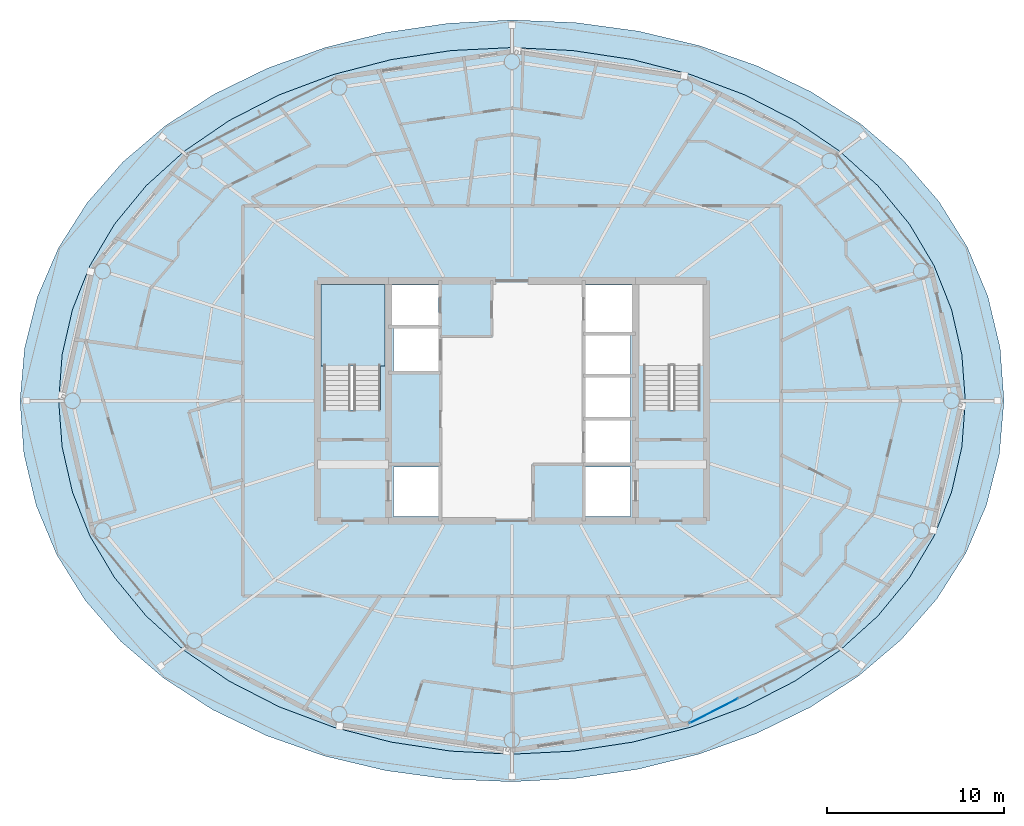
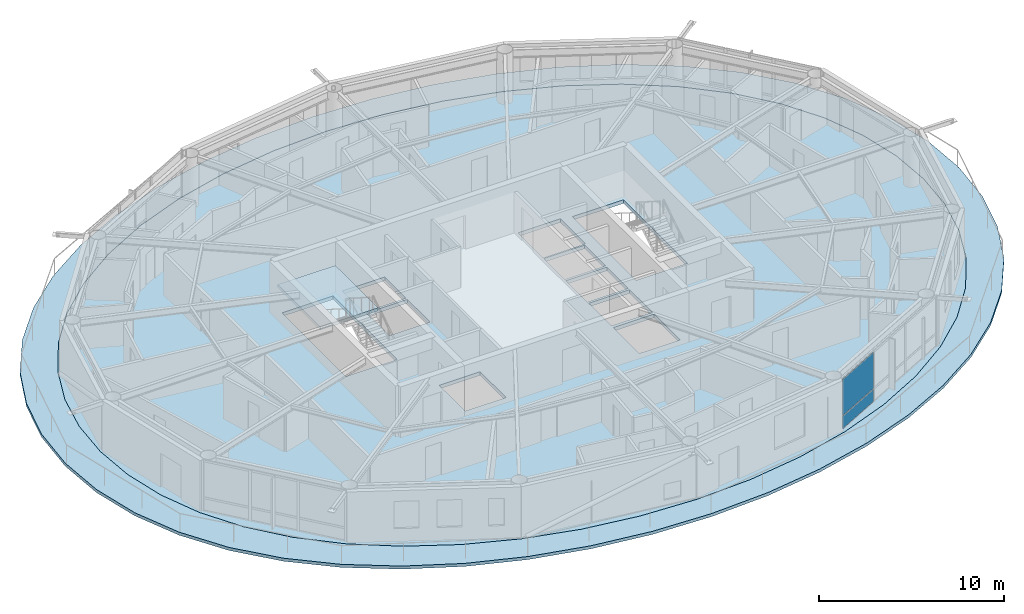
# One storey, part 13 of 23: 3 slabs, 2 plates, 2 elements without a shape of their own.
"""IFC4 building model written with IfcOpenShell, lengths in metres."""

from ifc_helpers import new_model, si_unit, direction, frame, origin, origin_2d, place, context, subcontext, project, spatial, polyline, rectangle, outline, extrude, material, layer, layer_set, type_object, element, aggregate, save


model = new_model("IFC4")

# Units and contexts
model_context = context("Model", 3, precision=1e-05, world=origin(), true_north=direction((0.0, 1.0)))
body_context = subcontext(model_context, "Body", "Model", "MODEL_VIEW")
ifc_project = project(units=[si_unit("LENGTHUNIT", "METRE"), si_unit("AREAUNIT", "SQUARE_METRE"), si_unit("VOLUMEUNIT", "CUBIC_METRE"), si_unit("PLANEANGLEUNIT", "RADIAN"), si_unit("MASSUNIT", "GRAM", prefix="KILO")], contexts=[model_context])

# Site, building, storey
site_placement = place(None, origin())
site = spatial("IfcSite", under=ifc_project, at=site_placement, CompositionType="ELEMENT")
building_placement = place(site_placement, origin())
building = spatial("IfcBuilding", under=site, at=building_placement, Name="Sarneth Arch Tower", CompositionType="ELEMENT")
storey_placement = place(building_placement, frame((0.0, 0.0, 228.0)))
storey = spatial("IfcBuildingStorey", under=building, at=storey_placement, Name="L58", CompositionType="ELEMENT", Elevation=228.0)

# Curtain wall, plates
ifc_material_1 = material(Name="Anodised aluminium Type AA25 and solar-control low-e laminated IGU", Category="aluminium")
ifc_layer_1 = layer(ifc_material_1, 0.179931640625)
ifc_layer_set_1 = layer_set([ifc_layer_1], Name="Anodised aluminium Type AA25 and solar-control low-e laminated IGU")
curtain_wall_type = type_object("IfcCurtainWallType", Name="CW-RES-HIGH", PredefinedType="NOTDEFINED", material=ifc_layer_set_1)
curtain_wall_placement = place(storey_placement, origin())
curtain_wall = element("IfcCurtainWall", 1, at=curtain_wall_placement, inside=storey, type_object=curtain_wall_type, Name="L58 Unitised curtain wall facet 14", PredefinedType="NOTDEFINED")
ifc_material_2 = material(Name="Solar-control low-e laminated IGU", Category="glass")
ifc_layer_2 = layer(ifc_material_2, 0.028076171875)
ifc_layer_set_2 = layer_set([ifc_layer_2], Name="Solar-control low-e laminated IGU")
plate_type = type_object("IfcPlateType", Name="CW-PANEL", PredefinedType="CURTAIN_PANEL", material=ifc_layer_set_2)
plate_1_placement = place(storey_placement, frame((59.4208984375, 24.447021484375, 0.06005859375), z_axis=(0.0, 0.0, 1.0), x_axis=(0.890009540525, 0.455941901753, 0.0)))
plate_1 = element("IfcPlate", 2, at=plate_1_placement, type_object=plate_type, Name="Curtain wall glazed vision pane CW-L58-F14/P00-00", PredefinedType="CURTAIN_PANEL", context=body_context, shape_type="SweptSolid", body=[
    extrude(rectangle(XDim=3.044677734375, YDim=0.028076171875, at=origin_2d()), origin(), (0.0, 0.0, 1.0), 0.81005859375),
])
plate_2_placement = place(storey_placement, frame((59.4208984375, 24.447021484375, 0.929931640625), z_axis=(0.0, 0.0, 1.0), x_axis=(0.890009540525, 0.455941901753, 0.0)))
plate_2 = element("IfcPlate", 3, at=plate_2_placement, type_object=plate_type, Name="Curtain wall glazed vision pane CW-L58-F14/P00-01", PredefinedType="CURTAIN_PANEL", context=body_context, shape_type="SweptSolid", body=[
    extrude(rectangle(XDim=3.044677734375, YDim=0.028076171875, at=origin_2d()), origin(), (0.0, 0.0, 1.0), 2.3701171875),
])
aggregate(curtain_wall, [plate_1, plate_2])

# Slab
ifc_material_3 = material(Name="Concrete C50/60", Category="concrete")
ifc_layer_3 = layer(ifc_material_3, 0.199951171875)
ifc_layer_set_3 = layer_set([ifc_layer_3], Name="Concrete C50/60")
slab_type_1 = type_object("IfcSlabType", Name="SLAB-BALC-200", PredefinedType="FLOOR", material=ifc_layer_set_3)
slab_1_placement = place(storey_placement, frame((0.0, 0.0, -0.199951171875)))
element("IfcSlab", 4, at=slab_1_placement, inside=storey, type_object=slab_type_1, Name="L58 Helical balcony band slab", PredefinedType="FLOOR", context=body_context, shape_type="SweptSolid", body=[
    extrude(outline(polyline([(75.85107421875, 42.0), (75.631591796875, 44.997314453125), (74.935302734375, 47.921875), (73.7734375, 50.703369140625), (72.1640625, 53.2861328125), (70.132080078125, 55.629638671875), (67.71142578125, 57.703369140625), (64.9462890625, 59.48486328125), (61.891357421875, 60.956787109375), (58.607666015625, 62.10693359375), (55.158447265625, 62.927001953125), (51.603759765625, 63.411865234375), (48.0, 63.5595703125), (44.400390625, 63.371337890625), (40.857177734375, 62.849853515625), (37.425537109375, 62.0009765625), (34.1630859375, 60.83203125), (31.1298828125, 59.353271484375), (28.383056640625, 57.57763671875), (25.973876953125, 55.52099609375), (23.943603515625, 53.202880859375), (22.32373046875, 50.649169921875), (21.138671875, 47.89501953125), (20.408447265625, 44.990234375), (20.14892578125, 42.0), (20.368408203125, 39.002685546875), (21.064697265625, 36.078125), (22.2265625, 33.296630859375), (23.8359375, 30.7138671875), (25.867919921875, 28.370361328125), (28.28857421875, 26.296630859375), (31.0537109375, 24.51513671875), (34.108642578125, 23.043212890625), (37.392333984375, 21.89306640625), (40.841552734375, 21.072998046875), (44.396240234375, 20.588134765625), (48.0, 20.4404296875), (51.599609375, 20.628662109375), (55.142822265625, 21.150146484375), (58.574462890625, 21.9990234375), (61.8369140625, 23.16796875), (64.8701171875, 24.646728515625), (67.616943359375, 26.42236328125), (70.026123046875, 28.47900390625), (72.056396484375, 30.797119140625), (73.67626953125, 33.350830078125), (74.861328125, 36.10498046875), (75.591552734375, 39.009765625), (75.85107421875, 42.0)]), holes=[polyline([(73.660888671875, 42.0), (73.466064453125, 44.610595703125), (72.87890625, 47.17626953125), (71.892822265625, 49.653564453125), (70.5029296875, 52.0), (68.712158203125, 54.17529296875), (66.536865234375, 56.14208984375), (64.009521484375, 57.8671875), (61.177001953125, 59.320556640625), (58.0966796875, 60.4775390625), (54.83203125, 61.318603515625), (51.44580078125, 61.828857421875), (48.0, 62.0), (44.55419921875, 61.828857421875), (41.16796875, 61.318603515625), (37.9033203125, 60.4775390625), (34.822998046875, 59.320556640625), (31.990478515625, 57.8671875), (29.463134765625, 56.14208984375), (27.287841796875, 54.17529296875), (25.4970703125, 52.0), (24.107177734375, 49.653564453125), (23.12109375, 47.17626953125), (22.533935546875, 44.610595703125), (22.339111328125, 42.0), (22.533935546875, 39.389404296875), (23.12109375, 36.82373046875), (24.107177734375, 34.346435546875), (25.4970703125, 32.0), (27.287841796875, 29.82470703125), (29.463134765625, 27.85791015625), (31.990478515625, 26.1328125), (34.822998046875, 24.679443359375), (37.9033203125, 23.5224609375), (41.16796875, 22.681396484375), (44.55419921875, 22.171142578125), (48.0, 22.0), (51.44580078125, 22.171142578125), (54.83203125, 22.681396484375), (58.0966796875, 23.5224609375), (61.177001953125, 24.679443359375), (64.009521484375, 26.1328125), (66.536865234375, 27.85791015625), (68.712158203125, 29.82470703125), (70.5029296875, 32.0), (71.892822265625, 34.346435546875), (72.87890625, 36.82373046875), (73.466064453125, 39.389404296875), (73.660888671875, 42.0)])]), origin(), (0.0, 0.0, 1.0), 0.199951171875),
])

# Stair, slab
ifc_material_4 = material(Name="Concrete C50/60", Category="concrete")
stair_type = type_object("IfcStairType", Name="STAIR-CORE-RC", PredefinedType="HALF_TURN_STAIR", material=ifc_material_4)
stair_placement = place(storey_placement, origin())
stair = element("IfcStair", 5, at=stair_placement, inside=storey, type_object=stair_type, Name="L58 Core Exit Stair 1", PredefinedType="HALF_TURN_STAIR")
ifc_material_5 = material(Name="Concrete C50/60", Category="concrete")
ifc_layer_4 = layer(ifc_material_5, 0.199951171875)
ifc_layer_set_4 = layer_set([ifc_layer_4], Name="Concrete C50/60")
slab_type_2 = type_object("IfcSlabType", Name="SLAB-LANDING-200", PredefinedType="LANDING", material=ifc_layer_set_4)
slab_2_placement = place(storey_placement, frame((0.0, 0.0, 1.60009765625)))
slab_2 = element("IfcSlab", 6, at=slab_2_placement, type_object=slab_type_2, Name="ST-1 landing 1", PredefinedType="LANDING", context=body_context, shape_type="SweptSolid", body=[
    extrude(outline(polyline([(37.199951171875, 43.985107421875), (40.800048828125, 43.985107421875), (40.800048828125, 48.60009765625), (37.199951171875, 48.60009765625), (37.199951171875, 43.985107421875)])), origin(), (0.0, 0.0, 1.0), 0.199951171875),
])
aggregate(stair, [slab_2])

# Slab
ifc_material_6 = material(Name="Concrete C50/60", Category="concrete")
ifc_layer_5 = layer(ifc_material_6, 0.239990234375)
ifc_layer_set_5 = layer_set([ifc_layer_5], Name="Concrete C50/60")
slab_type_3 = type_object("IfcSlabType", Name="SLAB-TOWER-240", PredefinedType="FLOOR", material=ifc_layer_set_5)
slab_3_placement = place(storey_placement, frame((0.0, 0.0, -0.239990234375)))
element("IfcSlab", 7, at=slab_3_placement, inside=storey, type_object=slab_type_3, Name="L58 Elliptical floor slab", PredefinedType="FLOOR", context=body_context, shape_type="SweptSolid", body=[
    extrude(outline(polyline([(73.660888671875, 42.0), (73.466064453125, 44.610595703125), (72.87890625, 47.17626953125), (71.892822265625, 49.653564453125), (70.5029296875, 52.0), (68.712158203125, 54.17529296875), (66.536865234375, 56.14208984375), (64.009521484375, 57.8671875), (61.177001953125, 59.320556640625), (58.0966796875, 60.4775390625), (54.83203125, 61.318603515625), (51.44580078125, 61.828857421875), (48.0, 62.0), (44.55419921875, 61.828857421875), (41.16796875, 61.318603515625), (37.9033203125, 60.4775390625), (34.822998046875, 59.320556640625), (31.990478515625, 57.8671875), (29.463134765625, 56.14208984375), (27.287841796875, 54.17529296875), (25.4970703125, 52.0), (24.107177734375, 49.653564453125), (23.12109375, 47.17626953125), (22.533935546875, 44.610595703125), (22.339111328125, 42.0), (22.533935546875, 39.389404296875), (23.12109375, 36.82373046875), (24.107177734375, 34.346435546875), (25.4970703125, 32.0), (27.287841796875, 29.82470703125), (29.463134765625, 27.85791015625), (31.990478515625, 26.1328125), (34.822998046875, 24.679443359375), (37.9033203125, 23.5224609375), (41.16796875, 22.681396484375), (44.55419921875, 22.171142578125), (48.0, 22.0), (51.44580078125, 22.171142578125), (54.83203125, 22.681396484375), (58.0966796875, 23.5224609375), (61.177001953125, 24.679443359375), (64.009521484375, 26.1328125), (66.536865234375, 27.85791015625), (68.712158203125, 29.82470703125), (70.5029296875, 32.0), (71.892822265625, 34.346435546875), (72.87890625, 36.82373046875), (73.466064453125, 39.389404296875), (73.660888671875, 42.0)]), holes=[polyline([(37.35009765625, 41.489990234375), (40.550048828125, 41.489990234375), (40.550048828125, 48.39990234375), (37.35009765625, 48.39990234375), (37.35009765625, 41.489990234375)]), polyline([(55.449951171875, 41.489990234375), (58.64990234375, 41.489990234375), (58.64990234375, 48.39990234375), (55.449951171875, 48.39990234375), (55.449951171875, 41.489990234375)]), polyline([(41.199951171875, 46.25), (43.85009765625, 46.25), (43.85009765625, 48.550048828125), (41.199951171875, 48.550048828125), (41.199951171875, 46.25)]), polyline([(41.300048828125, 35.449951171875), (43.85009765625, 35.449951171875), (43.85009765625, 38.25), (41.300048828125, 38.25), (41.300048828125, 35.449951171875)]), polyline([(52.14990234375, 35.449951171875), (54.699951171875, 35.449951171875), (54.699951171875, 38.25), (52.14990234375, 38.25), (52.14990234375, 35.449951171875)]), polyline([(52.14990234375, 45.85009765625), (54.800048828125, 45.85009765625), (54.800048828125, 48.550048828125), (52.14990234375, 48.550048828125), (52.14990234375, 45.85009765625)]), polyline([(41.300048828125, 43.64990234375), (43.85009765625, 43.64990234375), (43.85009765625, 46.10009765625), (41.300048828125, 46.10009765625), (41.300048828125, 43.64990234375)]), polyline([(52.14990234375, 38.449951171875), (54.699951171875, 38.449951171875), (54.699951171875, 40.89990234375), (52.14990234375, 40.89990234375), (52.14990234375, 38.449951171875)]), polyline([(52.14990234375, 41.050048828125), (54.699951171875, 41.050048828125), (54.699951171875, 43.35009765625), (52.14990234375, 43.35009765625), (52.14990234375, 41.050048828125)]), polyline([(52.14990234375, 43.5), (54.699951171875, 43.5), (54.699951171875, 45.75), (52.14990234375, 45.75), (52.14990234375, 43.5)])]), origin(), (0.0, 0.0, 1.0), 0.239990234375),
])

save(model, "model.ifc")
